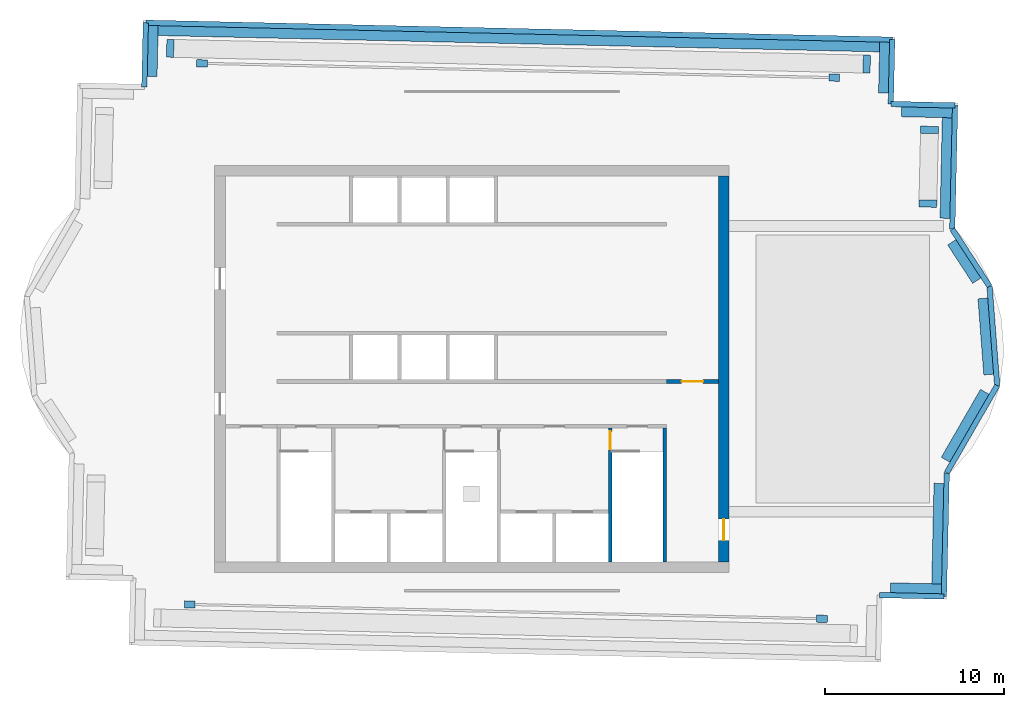
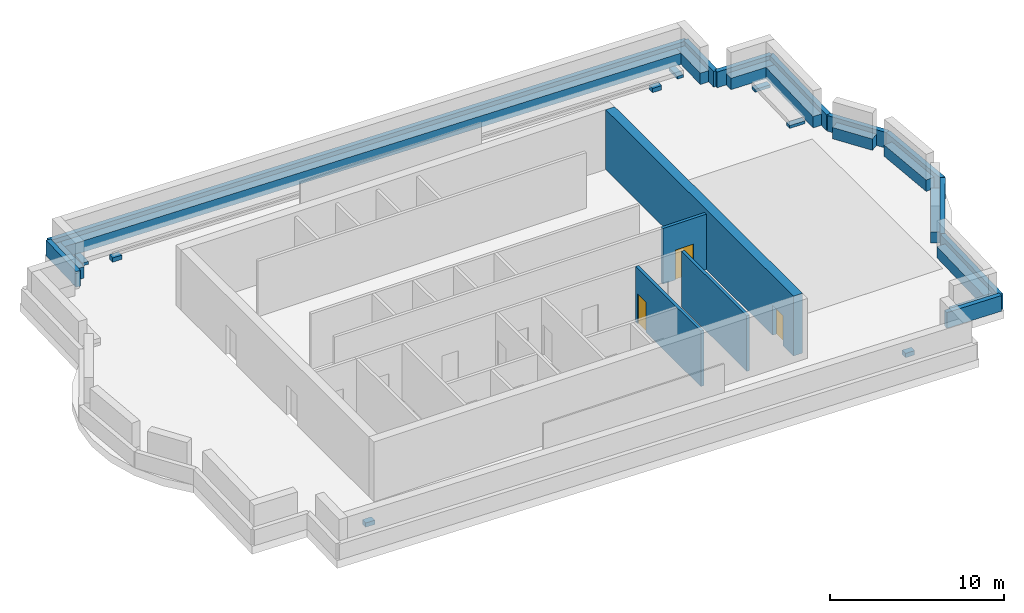
# One storey, part 3 of 4: 32 walls, 3 doors, 3 openings.
"""IFC4 building model written with IfcOpenShell, lengths in metres."""

from ifc_helpers import new_model, si_unit, direction, frame, frame_2d, origin, place, context, subcontext, project, spatial, rectangle, extrude, material, layer, layer_set, type_object, element, fill, save


model = new_model("IFC4")

# Units and contexts
model_context = context("Model", 3, precision=1e-05, world=origin(), true_north=direction((0.0, 1.0)))
body_context = subcontext(model_context, "Body", "Model", "MODEL_VIEW")
ifc_project = project(units=[si_unit("LENGTHUNIT", "METRE"), si_unit("AREAUNIT", "SQUARE_METRE"), si_unit("VOLUMEUNIT", "CUBIC_METRE"), si_unit("PLANEANGLEUNIT", "RADIAN"), si_unit("MASSUNIT", "GRAM", prefix="KILO")], contexts=[model_context])

# Site, building, storey
site_placement = place(None, origin())
site = spatial("IfcSite", under=ifc_project, at=site_placement, CompositionType="ELEMENT")
building_placement = place(site_placement, origin())
building = spatial("IfcBuilding", under=site, at=building_placement, Name="Mangrove Gate Tower", CompositionType="ELEMENT")
storey_placement = place(building_placement, frame((0.0, 0.0, 354.300048828125)))
storey = spatial("IfcBuildingStorey", under=building, at=storey_placement, Name="ROOF", CompositionType="ELEMENT", Elevation=354.300048828125)

# Wall, opening, door
ifc_material_1 = material(Name="Concrete C32/40", Category="concrete")
ifc_layer_1 = layer(ifc_material_1, 0.199951171875)
ifc_layer_set_1 = layer_set([ifc_layer_1], Name="Core lobby wall 200 C32/40")
wall_type_1 = type_object("IfcWallType", Name="Core lobby wall 200 C32/40", PredefinedType="STANDARD", material=ifc_layer_set_1)
wall_1_placement = place(storey_placement, frame((10.89990234375, -0.699951171875, 0.0), z_axis=(0.0, 0.0, 1.0), x_axis=(1.0, 0.0, 0.0)))
wall_1 = element("IfcWall", 1, at=wall_1_placement, inside=storey, type_object=wall_type_1, Name="WALL-ROOF-CORE-28", PredefinedType="STANDARD", context=body_context, shape_type="SweptSolid", body=[
    extrude(rectangle(XDim=2.900146484375, YDim=0.199951171875, at=frame_2d((1.4501953125, 0.0))), origin(), (0.0, 0.0, 1.0), 3.89990234375),
])
opening_1_placement = place(wall_1_placement, frame((0.85009765625, 0.0, 0.0)))
opening_1 = element("IfcOpeningElement", 2, at=opening_1_placement, cuts=wall_1, Name="Opening FL12", PredefinedType="OPENING", context=body_context, shape_type="SweptSolid", body=[
    extrude(rectangle(XDim=1.199951171875, YDim=2.10009765625, at=frame_2d((0.60009765625, 1.050048828125))), frame((0.0, 0.10986328125, 0.0), z_axis=(0.0, -1.0, 0.0), x_axis=(1.0, 0.0, 0.0)), (0.0, 0.0, 1.0), 0.219970703125),
])
ifc_material_2 = material(Name="Fire-rated steel door set", Category="steel")
door_type_1 = type_object("IfcDoorType", Name="Lobby door FD60 1200x2100", OperationType="SINGLE_SWING_LEFT", PredefinedType="DOOR", material=ifc_material_2)
door_1_placement = place(opening_1_placement, origin())
door_1 = element("IfcDoor", 3, at=door_1_placement, inside=storey, type_object=door_type_1, Name="Lobby door core corridor E partition", OperationType="SINGLE_SWING_LEFT", OverallHeight=2.10009765625, OverallWidth=1.199951171875, PredefinedType="DOOR", context=body_context, shape_type="SweptSolid", body=[
    extrude(rectangle(XDim=1.199951171875, YDim=2.10009765625, at=frame_2d((0.60009765625, 1.050048828125))), frame((0.0, 0.02490234375, 0.0), z_axis=(0.0, -1.0, 0.0), x_axis=(1.0, 0.0, 0.0)), (0.0, 0.0, 1.0), 0.050048828125),
])
fill(opening_1, door_1)

ifc_material_3 = material(Name="Concrete C50/60", Category="concrete")
ifc_layer_2 = layer(ifc_material_3, 0.199951171875)
ifc_layer_set_2 = layer_set([ifc_layer_2], Name="Core stair wall 200 C50/60")
wall_type_2 = type_object("IfcWallType", Name="Core stair wall 200 C50/60", PredefinedType="SHEAR", material=ifc_layer_set_2)
wall_2_placement = place(storey_placement, frame((7.75, -10.800048828125, 0.0), z_axis=(0.0, 0.0, 1.0), x_axis=(0.0, 1.0, 0.0)))
wall_2 = element("IfcWall", 4, at=wall_2_placement, inside=storey, type_object=wall_type_2, Name="WALL-ROOF-CORE-13", PredefinedType="SHEAR", context=body_context, shape_type="SweptSolid", body=[
    extrude(rectangle(XDim=7.5, YDim=0.199951171875, at=frame_2d((3.75, 0.0))), origin(), (0.0, 0.0, 1.0), 3.89990234375),
])
opening_2_placement = place(wall_2_placement, frame((6.300048828125, 0.0, 0.0)))
opening_2 = element("IfcOpeningElement", 5, at=opening_2_placement, cuts=wall_2, Name="Opening STD10", PredefinedType="OPENING", context=body_context, shape_type="SweptSolid", body=[
    extrude(rectangle(XDim=1.0, YDim=2.10009765625, at=frame_2d((0.5, 1.050048828125))), frame((0.0, 0.10986328125, 0.0), z_axis=(0.0, -1.0, 0.0), x_axis=(1.0, 0.0, 0.0)), (0.0, 0.0, 1.0), 0.219970703125),
])
ifc_material_4 = material(Name="Fire-rated steel door set", Category="steel")
door_type_2 = type_object("IfcDoorType", Name="Stair door FD60 1000x2100", OperationType="SINGLE_SWING_RIGHT", PredefinedType="DOOR", material=ifc_material_4)
door_2_placement = place(opening_2_placement, origin())
door_2 = element("IfcDoor", 6, at=door_2_placement, inside=storey, type_object=door_type_2, Name="Stair door Stair 3 from fire-fighting lobby", OperationType="SINGLE_SWING_RIGHT", OverallHeight=2.10009765625, OverallWidth=1.0, PredefinedType="DOOR", context=body_context, shape_type="SweptSolid", body=[
    extrude(rectangle(XDim=1.0, YDim=2.10009765625, at=frame_2d((0.5, 1.050048828125))), frame((0.0, 0.02490234375, 0.0), z_axis=(0.0, -1.0, 0.0), x_axis=(1.0, 0.0, 0.0)), (0.0, 0.0, 1.0), 0.050048828125),
])
fill(opening_2, door_2)

# Wall
wall_3_placement = place(storey_placement, frame((10.800048828125, -10.800048828125, 0.0), z_axis=(0.0, 0.0, 1.0), x_axis=(0.0, 1.0, 0.0)))
element("IfcWall", 7, at=wall_3_placement, inside=storey, type_object=wall_type_2, Name="WALL-ROOF-CORE-14", PredefinedType="SHEAR", context=body_context, shape_type="SweptSolid", body=[
    extrude(rectangle(XDim=7.5, YDim=0.199951171875, at=frame_2d((3.75, 0.0))), origin(), (0.0, 0.0, 1.0), 3.89990234375),
])

# Wall, opening, door
ifc_material_5 = material(Name="Concrete C50/60", Category="concrete")
ifc_layer_3 = layer(ifc_material_5, 0.60009765625)
ifc_layer_set_3 = layer_set([ifc_layer_3], Name="Core wall 600 C50/60")
wall_type_3 = type_object("IfcWallType", Name="Core wall 600 C50/60", PredefinedType="SHEAR", material=ifc_layer_set_3)
wall_4_placement = place(storey_placement, frame((14.10009765625, -10.800048828125, 0.0), z_axis=(0.0, 0.0, 1.0), x_axis=(0.0, 1.0, 0.0)))
wall_4 = element("IfcWall", 8, at=wall_4_placement, inside=storey, type_object=wall_type_3, Name="WALL-ROOF-CORE-4", PredefinedType="SHEAR", context=body_context, shape_type="SweptSolid", body=[
    extrude(rectangle(XDim=21.60009765625, YDim=0.60009765625, at=frame_2d((10.800048828125, 0.0))), origin(), (0.0, 0.0, 1.0), 4.199951171875),
])
opening_3_placement = place(wall_4_placement, frame((1.199951171875, 0.0, 0.0)))
opening_3 = element("IfcOpeningElement", 9, at=opening_3_placement, cuts=wall_4, Name="Opening CD", PredefinedType="OPENING", context=body_context, shape_type="SweptSolid", body=[
    extrude(rectangle(XDim=1.199951171875, YDim=2.10009765625, at=frame_2d((0.60009765625, 1.050048828125))), frame((0.0, 0.31005859375, 0.0), z_axis=(0.0, -1.0, 0.0), x_axis=(1.0, 0.0, 0.0)), (0.0, 0.0, 1.0), 0.6201171875),
])
ifc_material_6 = material(Name="Fire-rated steel door set", Category="steel")
door_type_3 = type_object("IfcDoorType", Name="Core ring door FD60 1200x2100", OperationType="DOUBLE_DOOR_SINGLE_SWING", PredefinedType="DOOR", material=ifc_material_6)
door_3_placement = place(opening_3_placement, origin())
door_3 = element("IfcDoor", 10, at=door_3_placement, inside=storey, type_object=door_type_3, Name="Core ring door E1", OperationType="DOUBLE_DOOR_SINGLE_SWING", OverallHeight=2.10009765625, OverallWidth=1.199951171875, PredefinedType="DOOR", context=body_context, shape_type="SweptSolid", body=[
    extrude(rectangle(XDim=1.199951171875, YDim=2.10009765625, at=frame_2d((0.60009765625, 1.050048828125))), frame((0.0, 0.02490234375, 0.0), z_axis=(0.0, -1.0, 0.0), x_axis=(1.0, 0.0, 0.0)), (0.0, 0.0, 1.0), 0.050048828125),
])
fill(opening_3, door_3)

# Walls
ifc_material_7 = material(Name="Limestone", Category="masonry")
ifc_layer_4 = layer(ifc_material_7, 0.0400390625, Name="Limestone cladding")
ifc_material_8 = material(Name="Ventilated air gap")
ifc_layer_5 = layer(ifc_material_8, 0.030029296875, Name="Ventilated cavity")
ifc_material_9 = material(Name="Mineral wool insulation")
ifc_layer_6 = layer(ifc_material_9, 0.050048828125, Name="Insulation")
ifc_material_10 = material(Name="Concrete C32/40", Category="concrete")
ifc_layer_7 = layer(ifc_material_10, 0.179931640625, Name="Parapet core wall")
ifc_layer_set_4 = layer_set([ifc_layer_4, ifc_layer_5, ifc_layer_6, ifc_layer_7], Name="Parapet 300 limestone")
wall_type_4 = type_object("IfcWallType", Name="Parapet 300 limestone", PredefinedType="PARAPET", material=ifc_layer_set_4)
wall_5_placement = place(storey_placement, frame((26.430908203125, -12.739990234375, 0.0), z_axis=(0.0, 0.0, 1.0), x_axis=(0.022653381007, 0.999743379237, 0.0)))
element("IfcWall", 11, at=wall_5_placement, inside=storey, type_object=wall_type_4, Name="WALL-ROOF-PARE0", PredefinedType="PARAPET", context=body_context, shape_type="SweptSolid", body=[
    extrude(rectangle(XDim=6.9296875, YDim=0.300048828125, at=frame_2d((3.46484375, 0.0))), origin(), (0.0, 0.0, 1.0), 1.099853515625),
])
wall_6_placement = place(storey_placement, frame((26.587890625, -5.81201171875, 0.0), z_axis=(0.0, 0.0, 1.0), x_axis=(0.500425402898, 0.865779657958, 0.0)))
element("IfcWall", 12, at=wall_6_placement, inside=storey, type_object=wall_type_4, Name="WALL-ROOF-PARE1f1", PredefinedType="PARAPET", context=body_context, shape_type="SweptSolid", body=[
    extrude(rectangle(XDim=5.64111328125, YDim=0.300048828125, at=frame_2d((2.820556640625, 0.0))), origin(), (0.0, 0.0, 1.0), 1.099853515625),
])
wall_7_placement = place(storey_placement, frame((29.410888671875, -0.927978515625, 0.0), z_axis=(0.0, 0.0, 1.0), x_axis=(-0.076964476481, 0.997033835614, 0.0)))
element("IfcWall", 13, at=wall_7_placement, inside=storey, type_object=wall_type_4, Name="WALL-ROOF-PARE1f2", PredefinedType="PARAPET", context=body_context, shape_type="SweptSolid", body=[
    extrude(rectangle(XDim=5.573486328125, YDim=0.300048828125, at=frame_2d((2.78662109375, 0.0))), origin(), (0.0, 0.0, 1.0), 1.099853515625),
])
wall_8_placement = place(storey_placement, frame((28.98193359375, 4.62890625, 0.0), z_axis=(0.0, 0.0, 1.0), x_axis=(-0.54625802463, 0.837616959312, 0.0)))
element("IfcWall", 14, at=wall_8_placement, inside=storey, type_object=wall_type_4, Name="WALL-ROOF-PARE1f3", PredefinedType="PARAPET", context=body_context, shape_type="SweptSolid", body=[
    extrude(rectangle(XDim=3.81689453125, YDim=0.300048828125, at=frame_2d((1.908447265625, 0.0))), origin(), (0.0, 0.0, 1.0), 1.099853515625),
])
wall_9_placement = place(storey_placement, frame((26.89697265625, 7.825927734375, 0.0), z_axis=(0.0, 0.0, 1.0), x_axis=(0.022797442908, 0.999740104526, 0.0)))
element("IfcWall", 15, at=wall_9_placement, inside=storey, type_object=wall_type_4, Name="WALL-ROOF-PARE2", PredefinedType="PARAPET", context=body_context, shape_type="SweptSolid", body=[
    extrude(rectangle(XDim=6.9287109375, YDim=0.300048828125, at=frame_2d((3.46435546875, 0.0))), origin(), (0.0, 0.0, 1.0), 1.099853515625),
])
wall_10_placement = place(storey_placement, frame((27.054931640625, 14.7529296875, 0.0), z_axis=(0.0, 0.0, 1.0), x_axis=(-0.999740327787, 0.022787650101, 0.0)))
element("IfcWall", 16, at=wall_10_placement, inside=storey, type_object=wall_type_4, Name="WALL-ROOF-PARN3", PredefinedType="PARAPET", context=body_context, shape_type="SweptSolid", body=[
    extrude(rectangle(XDim=3.599853515625, YDim=0.300048828125, at=frame_2d((1.7998046875, 0.0))), origin(), (0.0, 0.0, 1.0), 1.099853515625),
])
wall_11_placement = place(storey_placement, frame((23.4560546875, 14.8349609375, 0.0), z_axis=(0.0, 0.0, 1.0), x_axis=(0.022514980321, 0.999746505701, 0.0)))
element("IfcWall", 17, at=wall_11_placement, inside=storey, type_object=wall_type_4, Name="WALL-ROOF-PARE4", PredefinedType="PARAPET", context=body_context, shape_type="SweptSolid", body=[
    extrude(rectangle(XDim=3.60009765625, YDim=0.300048828125, at=frame_2d((1.800048828125, 0.0))), origin(), (0.0, 0.0, 1.0), 1.099853515625),
])
wall_12_placement = place(storey_placement, frame((23.537109375, 18.43408203125, 0.0), z_axis=(0.0, 0.0, 1.0), x_axis=(-0.999742787513, 0.022679480066, 0.0)))
element("IfcWall", 18, at=wall_12_placement, inside=storey, type_object=wall_type_4, Name="WALL-ROOF-PARN5", PredefinedType="PARAPET", context=body_context, shape_type="SweptSolid", body=[
    extrude(rectangle(XDim=41.7998046875, YDim=0.300048828125, at=frame_2d((20.89990234375, 0.0))), origin(), (0.0, 0.0, 1.0), 1.099853515625),
])
wall_13_placement = place(storey_placement, frame((-18.251953125, 19.382080078125, 0.0), z_axis=(0.0, 0.0, 1.0), x_axis=(-0.02278610514, -0.999740363001, 0.0)))
element("IfcWall", 19, at=wall_13_placement, inside=storey, type_object=wall_type_4, Name="WALL-ROOF-PARW6", PredefinedType="PARAPET", context=body_context, shape_type="SweptSolid", body=[
    extrude(rectangle(XDim=3.60009765625, YDim=0.300048828125, at=frame_2d((1.800048828125, 0.0))), origin(), (0.0, 0.0, 1.0), 1.099853515625),
])
wall_14_placement = place(storey_placement, frame((22.83203125, -12.657958984375, 0.0), z_axis=(0.0, 0.0, 1.0), x_axis=(0.999740327787, -0.022787650101, 0.0)))
element("IfcWall", 20, at=wall_14_placement, inside=storey, type_object=wall_type_4, Name="WALL-ROOF-PARS15", PredefinedType="PARAPET", context=body_context, shape_type="SweptSolid", body=[
    extrude(rectangle(XDim=3.599853515625, YDim=0.300048828125, at=frame_2d((1.7998046875, 0.0))), origin(), (0.0, 0.0, 1.0), 1.099853515625),
])
ifc_layer_8 = layer(ifc_material_10, 0.199951171875, Name="Planter trough wall")
ifc_material_11 = material(Name="Bituminous waterproofing membrane")
ifc_layer_9 = layer(ifc_material_11, 0.0048828125, Name="Waterproofing")
ifc_material_12 = material(Name="Drainage board and gravel")
ifc_layer_10 = layer(ifc_material_12, 0.044921875, Name="Drainage layer")
ifc_material_13 = material(Name="Planting soil")
ifc_layer_11 = layer(ifc_material_13, 0.300048828125, Name="Growing medium")
ifc_layer_set_5 = layer_set([ifc_layer_8, ifc_layer_9, ifc_layer_10, ifc_layer_11], Name="Planter wall 550 C32/40")
wall_type_5 = type_object("IfcWallType", Name="Planter wall 550 C32/40", PredefinedType="USERDEFINED", material=ifc_layer_set_5)
wall_15_placement = place(storey_placement, frame((26.009033203125, -12.580078125, 0.0), z_axis=(0.0, 0.0, 1.0), x_axis=(0.022637943358, 0.999743728923, 0.0)))
element("IfcWall", 21, at=wall_15_placement, inside=storey, type_object=wall_type_5, Name="PLANTER ROOF E0", ObjectType="PLANTER", PredefinedType="USERDEFINED", context=body_context, shape_type="SweptSolid", body=[
    extrude(rectangle(XDim=6.179443359375, YDim=0.550048828125, at=frame_2d((3.08984375, 0.0))), origin(), (0.0, 0.0, 1.0), 0.800048828125),
])
wall_16_placement = place(storey_placement, frame((26.52001953125, -5.0810546875, 0.0), z_axis=(0.0, 0.0, 1.0), x_axis=(0.500234069634, 0.865890221435, 0.0)))
element("IfcWall", 22, at=wall_16_placement, inside=storey, type_object=wall_type_5, Name="PLANTER ROOF E1f1", ObjectType="PLANTER", PredefinedType="USERDEFINED", context=body_context, shape_type="SweptSolid", body=[
    extrude(rectangle(XDim=4.39208984375, YDim=0.550048828125, at=frame_2d((2.196044921875, 0.0))), origin(), (0.0, 0.0, 1.0), 0.800048828125),
])
wall_17_placement = place(storey_placement, frame((28.93701171875, -0.31201171875, 0.0), z_axis=(0.0, 0.0, 1.0), x_axis=(-0.077024207266, 0.997029222989, 0.0)))
element("IfcWall", 23, at=wall_17_placement, inside=storey, type_object=wall_type_5, Name="PLANTER ROOF E1f2", ObjectType="PLANTER", PredefinedType="USERDEFINED", context=body_context, shape_type="SweptSolid", body=[
    extrude(rectangle(XDim=4.272705078125, YDim=0.550048828125, at=frame_2d((2.13623046875, 0.0))), origin(), (0.0, 0.0, 1.0), 0.800048828125),
])
wall_18_placement = place(storey_placement, frame((28.27099609375, 4.94189453125, 0.0), z_axis=(0.0, 0.0, 1.0), x_axis=(-0.54622135958, 0.837640869549, 0.0)))
element("IfcWall", 24, at=wall_18_placement, inside=storey, type_object=wall_type_5, Name="PLANTER ROOF E1f3", ObjectType="PLANTER", PredefinedType="USERDEFINED", context=body_context, shape_type="SweptSolid", body=[
    extrude(rectangle(XDim=2.56689453125, YDim=0.550048828125, at=frame_2d((1.283447265625, 0.0))), origin(), (0.0, 0.0, 1.0), 0.800048828125),
])
wall_19_placement = place(storey_placement, frame((26.486083984375, 8.43505859375, 0.0), z_axis=(0.0, 0.0, 1.0), x_axis=(0.022637943358, 0.999743728923, 0.0)))
element("IfcWall", 25, at=wall_19_placement, inside=storey, type_object=wall_type_5, Name="PLANTER ROOF E2", ObjectType="PLANTER", PredefinedType="USERDEFINED", context=body_context, shape_type="SweptSolid", body=[
    extrude(rectangle(XDim=6.179443359375, YDim=0.550048828125, at=frame_2d((3.08984375, 0.0))), origin(), (0.0, 0.0, 1.0), 0.800048828125),
])
wall_20_placement = place(storey_placement, frame((26.89501953125, 14.33203125, 0.0), z_axis=(0.0, 0.0, 1.0), x_axis=(-0.999748077627, 0.022445072523, 0.0)))
element("IfcWall", 26, at=wall_20_placement, inside=storey, type_object=wall_type_5, Name="PLANTER ROOF N3", ObjectType="PLANTER", PredefinedType="USERDEFINED", context=body_context, shape_type="SweptSolid", body=[
    extrude(rectangle(XDim=2.849853515625, YDim=0.550048828125, at=frame_2d((1.4248046875, 0.0))), origin(), (0.0, 0.0, 1.0), 0.800048828125),
])
wall_21_placement = place(storey_placement, frame((23.0439453125, 15.444091796875, 0.0), z_axis=(0.0, 0.0, 1.0), x_axis=(0.02278171534, 0.999740463043, 0.0)))
element("IfcWall", 27, at=wall_21_placement, inside=storey, type_object=wall_type_5, Name="PLANTER ROOF E4", ObjectType="PLANTER", PredefinedType="USERDEFINED", context=body_context, shape_type="SweptSolid", body=[
    extrude(rectangle(XDim=2.8505859375, YDim=0.550048828125, at=frame_2d((1.42529296875, 0.0))), origin(), (0.0, 0.0, 1.0), 0.800048828125),
])
wall_22_placement = place(storey_placement, frame((23.376953125, 18.012939453125, 0.0), z_axis=(0.0, 0.0, 1.0), x_axis=(-0.999742803486, 0.022678775957, 0.0)))
element("IfcWall", 28, at=wall_22_placement, inside=storey, type_object=wall_type_5, Name="PLANTER ROOF N5", ObjectType="PLANTER", PredefinedType="USERDEFINED", context=body_context, shape_type="SweptSolid", body=[
    extrude(rectangle(XDim=41.499755859375, YDim=0.550048828125, at=frame_2d((20.75, 0.0))), origin(), (0.0, 0.0, 1.0), 0.800048828125),
])
wall_23_placement = place(storey_placement, frame((-17.8310546875, 19.221923828125, 0.0), z_axis=(0.0, 0.0, 1.0), x_axis=(-0.022446995032, -0.999748034464, 0.0)))
element("IfcWall", 29, at=wall_23_placement, inside=storey, type_object=wall_type_5, Name="PLANTER ROOF W6", ObjectType="PLANTER", PredefinedType="USERDEFINED", context=body_context, shape_type="SweptSolid", body=[
    extrude(rectangle(XDim=2.849609375, YDim=0.550048828125, at=frame_2d((1.4248046875, 0.0))), origin(), (0.0, 0.0, 1.0), 0.800048828125),
])
wall_24_placement = place(storey_placement, frame((23.44091796875, -12.2470703125, 0.0), z_axis=(0.0, 0.0, 1.0), x_axis=(0.999748250171, -0.022437385776, 0.0)))
element("IfcWall", 30, at=wall_24_placement, inside=storey, type_object=wall_type_5, Name="PLANTER ROOF S15", ObjectType="PLANTER", PredefinedType="USERDEFINED", context=body_context, shape_type="SweptSolid", body=[
    extrude(rectangle(XDim=2.850830078125, YDim=0.550048828125, at=frame_2d((1.42529296875, 0.0))), origin(), (0.0, 0.0, 1.0), 0.800048828125),
])
wall_25_placement = place(storey_placement, frame((20.587890625, 16.300048828125, 0.0), z_axis=(0.0, 0.0, 1.0), x_axis=(-0.999731011233, 0.023192782922, 0.0)))
element("IfcWall", 31, at=wall_25_placement, inside=storey, type_object=wall_type_5, Name="BMU RAIL PLINTH ROOF N.1", ObjectType="PLANTER", PredefinedType="USERDEFINED", context=body_context, shape_type="SweptSolid", body=[
    extrude(rectangle(XDim=0.60009765625, YDim=0.39990234375, at=frame_2d((0.300048828125, 0.0))), origin(), (0.0, 0.0, 1.0), 0.300048828125),
])
for number, where, z_axis, x_axis, name in (
    (32, (-14.802978515625, 17.10400390625, 0.0), (0.0, 0.0, 1.0), (-0.999767615808, 0.021557235003, 0.0), "BMU RAIL PLINTH ROOF N.2"),
    (33, (-16.090087890625, -13.175048828125, 0.0), (0.0, 0.0, 1.0), (0.999731229968, -0.023183352363, 0.0), "BMU RAIL PLINTH ROOF S.1"),
):
    element("IfcWall", number, at=place(storey_placement, frame(where, z_axis=z_axis, x_axis=x_axis)), inside=storey, type_object=wall_type_5, Name=name, ObjectType="PLANTER", PredefinedType="USERDEFINED", context=body_context, shape_type="SweptSolid", body=[
        extrude(rectangle(XDim=0.600341796875, YDim=0.39990234375, at=frame_2d((0.30029296875, 0.0))), origin(), (0.0, 0.0, 1.0), 0.300048828125),
    ])
wall_26_placement = place(storey_placement, frame((19.301025390625, -13.97802734375, 0.0), z_axis=(0.0, 0.0, 1.0), x_axis=(0.999731011233, -0.023192782922, 0.0)))
element("IfcWall", 34, at=wall_26_placement, inside=storey, type_object=wall_type_5, Name="BMU RAIL PLINTH ROOF S.2", ObjectType="PLANTER", PredefinedType="USERDEFINED", context=body_context, shape_type="SweptSolid", body=[
    extrude(rectangle(XDim=0.60009765625, YDim=0.39990234375, at=frame_2d((0.300048828125, 0.0))), origin(), (0.0, 0.0, 1.0), 0.300048828125),
])
wall_27_placement = place(storey_placement, frame((25.52490234375, 9.056884765625, 0.0), z_axis=(0.0, 0.0, 1.0), x_axis=(0.022568990636, 0.999745287892, 0.0)))
element("IfcWall", 35, at=wall_27_placement, inside=storey, type_object=wall_type_5, Name="PLANTING BED PLINTH ROOF 1.1", ObjectType="PLANTER", PredefinedType="USERDEFINED", context=body_context, shape_type="SweptSolid", body=[
    extrude(rectangle(XDim=0.400146484375, YDim=1.0, at=frame_2d((0.2001953125, 0.0))), origin(), (0.0, 0.0, 1.0), 0.199951171875),
])
for number, where, z_axis, x_axis, name in (
    (36, (25.618896484375, 13.18505859375, 0.0), (0.0, 0.0, 1.0), (0.022582761994, 0.999744976912, 0.0), "PLANTING BED PLINTH ROOF 1.2"),
    (37, (22.305908203125, 17.06201171875, 0.0), (0.0, 0.0, 1.0), (-0.999744976912, 0.022582761994, 0.0), "PLANTING BED PLINTH ROOF 2.1"),
    (38, (-16.68408203125, 17.946044921875, 0.0), (0.0, 0.0, 1.0), (-0.999744976912, 0.022582761994, 0.0), "PLANTING BED PLINTH ROOF 2.2"),
):
    element("IfcWall", number, at=place(storey_placement, frame(where, z_axis=z_axis, x_axis=x_axis)), inside=storey, type_object=wall_type_5, Name=name, ObjectType="PLANTER", PredefinedType="USERDEFINED", context=body_context, shape_type="SweptSolid", body=[
        extrude(rectangle(XDim=0.39990234375, YDim=1.0, at=frame_2d((0.199951171875, 0.0))), origin(), (0.0, 0.0, 1.0), 0.199951171875),
    ])

save(model, "model.ifc")
